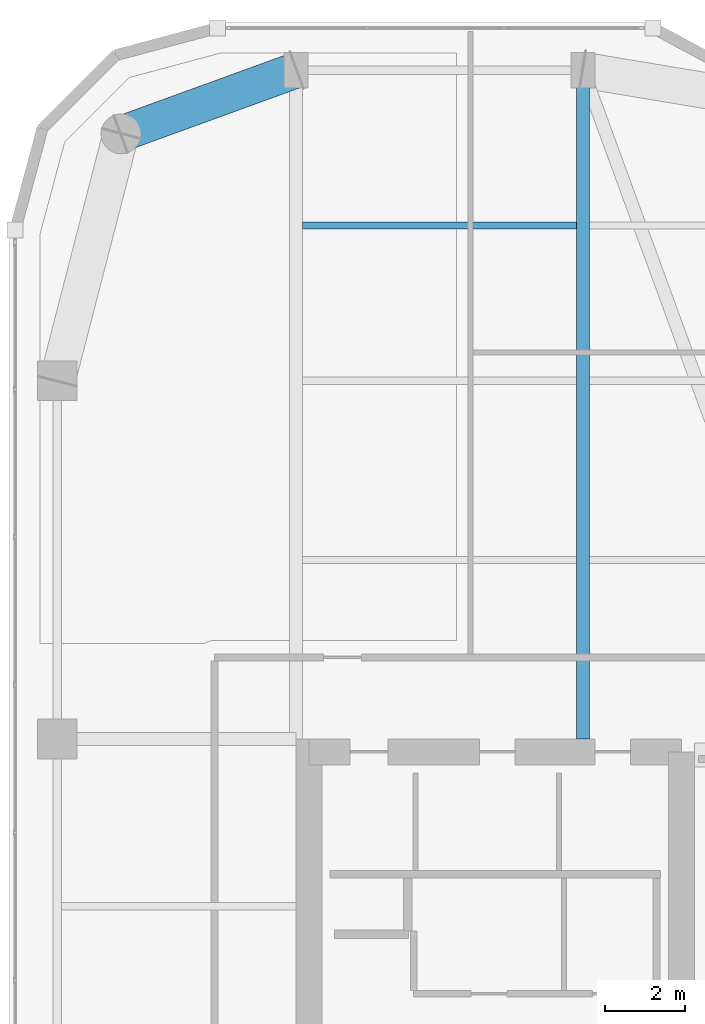
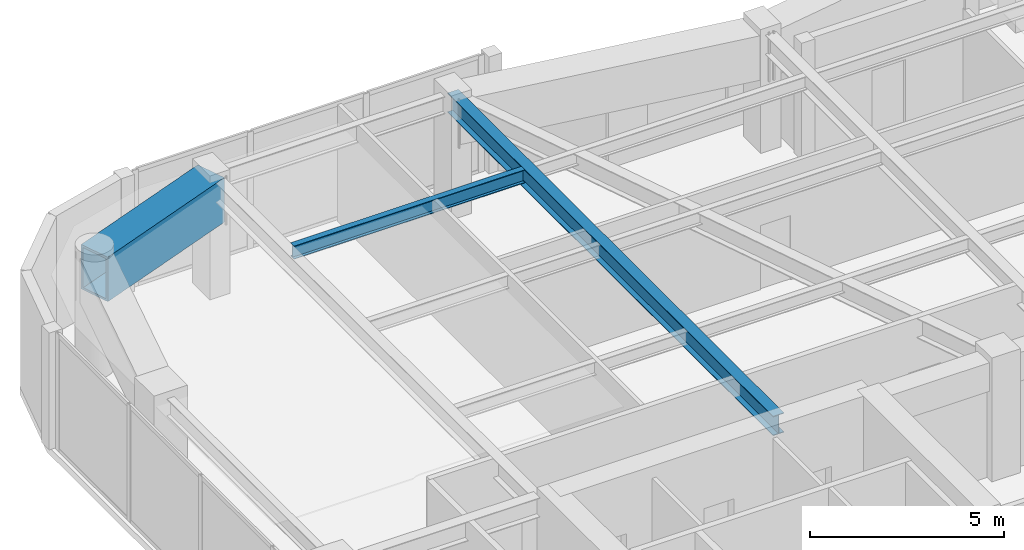
# One storey, part 9 of 21: 3 beams.
"""IFC4 building model written with IfcOpenShell, lengths in metres."""

from ifc_helpers import new_model, si_unit, direction, frame, origin, origin_2d, place, context, subcontext, project, spatial, hollow_rectangle, i_section, extrude, material, material_profile, profile_set, type_object, element, save


model = new_model("IFC4")

# Units and contexts
model_context = context("Model", 3, precision=1e-05, world=origin(), true_north=direction((0.0, 1.0)))
body_context = subcontext(model_context, "Body", "Model", "MODEL_VIEW")
ifc_project = project(units=[si_unit("LENGTHUNIT", "METRE"), si_unit("AREAUNIT", "SQUARE_METRE"), si_unit("VOLUMEUNIT", "CUBIC_METRE"), si_unit("PLANEANGLEUNIT", "RADIAN"), si_unit("MASSUNIT", "GRAM", prefix="KILO")], contexts=[model_context])

# Site, building, storey
site_placement = place(None, origin())
site = spatial("IfcSite", under=ifc_project, at=site_placement, CompositionType="ELEMENT")
building_placement = place(site_placement, origin())
building = spatial("IfcBuilding", under=site, at=building_placement, Name="Kiyonajd Concourse Tower", CompositionType="ELEMENT")
storey_placement = place(building_placement, frame((0.0, 0.0, 231.0)))
storey = spatial("IfcBuildingStorey", under=building, at=storey_placement, Name="L58", CompositionType="ELEMENT", Elevation=231.0)

# Beams
ifc_material_1 = material(Name="Steel ASTM A992 Grade 50", Category="steel")
ifc_material_profile_1 = material_profile(ifc_material_1, i_section(OverallWidth=0.180908203125, OverallDepth=0.4169921875, WebThickness=0.010986328125, FlangeThickness=0.018310546875, at=origin_2d()), Name="W410X85")
ifc_profile_set_1 = profile_set([ifc_material_profile_1], Name="Steel ASTM A992 Grade 50")
beam_type_1 = type_object("IfcBeamType", Name="BM-JST-410", PredefinedType="JOIST", material=ifc_profile_set_1)
beam_1_placement = place(storey_placement, frame((32.56201171875, 57.300048828125, 3.471435546875), z_axis=(1.0, 0.0, 0.0), x_axis=(0.0, 1.0, 0.0)))
element("IfcBeam", 1, at=beam_1_placement, inside=storey, type_object=beam_type_1, Name="L58 Secondary Floor Joist", PredefinedType="JOIST", context=body_context, shape_type="SweptSolid", body=[
    extrude(i_section(OverallWidth=0.180908203125, OverallDepth=0.4169921875, WebThickness=0.010986328125, FlangeThickness=0.018310546875, at=origin_2d()), origin(), (0.0, 0.0, 1.0), 6.8759765625),
])
ifc_material_profile_2 = material_profile(ifc_material_1, i_section(OverallWidth=0.323974609375, OverallDepth=0.611083984375, WebThickness=0.0126953125, FlangeThickness=0.01904296875, at=origin_2d()), Name="W610X155")
ifc_profile_set_2 = profile_set([ifc_material_profile_2], Name="Steel ASTM A992 Grade 50")
beam_type_2 = type_object("IfcBeamType", Name="BM-TWR-610B", PredefinedType="BEAM", material=ifc_profile_set_2)
beam_2_placement = place(storey_placement, frame((39.60009765625, 44.39990234375, 3.37451171875), z_axis=(0.0, 1.0, 0.0), x_axis=(-1.0, 0.0, 0.0)))
element("IfcBeam", 2, at=beam_2_placement, inside=storey, type_object=beam_type_2, Name="L58 North Lease Girder", PredefinedType="BEAM", context=body_context, shape_type="SweptSolid", body=[
    extrude(i_section(OverallWidth=0.323974609375, OverallDepth=0.611083984375, WebThickness=0.0126953125, FlangeThickness=0.01904296875, at=origin_2d()), origin(), (0.0, 0.0, 1.0), 16.800048828125),
])
ifc_material_2 = material(Name="Steel ASTM A572 Grade 50", Category="steel")
ifc_material_profile_3 = material_profile(ifc_material_2, hollow_rectangle(XDim=0.89990234375, YDim=1.39990234375, WallThickness=0.070068359375, at=origin_2d()), Name="BOX-1400x900x70")
ifc_profile_set_3 = profile_set([ifc_material_profile_3], Name="Steel ASTM A572 Grade 50")
beam_type_3 = type_object("IfcBeamType", Name="BM-XFER-1400", PredefinedType="BEAM", material=ifc_profile_set_3)
beam_3_placement = place(storey_placement, frame((32.39990234375, 61.199951171875, 2.97998046875), z_axis=(-0.939801036019, -0.341722127901, 0.0), x_axis=(0.341722127901, -0.939801036019, 0.0)))
element("IfcBeam", 3, at=beam_3_placement, inside=storey, type_object=beam_type_3, Name="L58 Perimeter Bundled Tube Spandrel", PredefinedType="BEAM", context=body_context, shape_type="SweptSolid", body=[
    extrude(hollow_rectangle(XDim=0.89990234375, YDim=1.39990234375, WallThickness=0.070068359375, at=origin_2d()), origin(), (0.0, 0.0, 1.0), 4.681640625),
])

save(model, "model.ifc")
